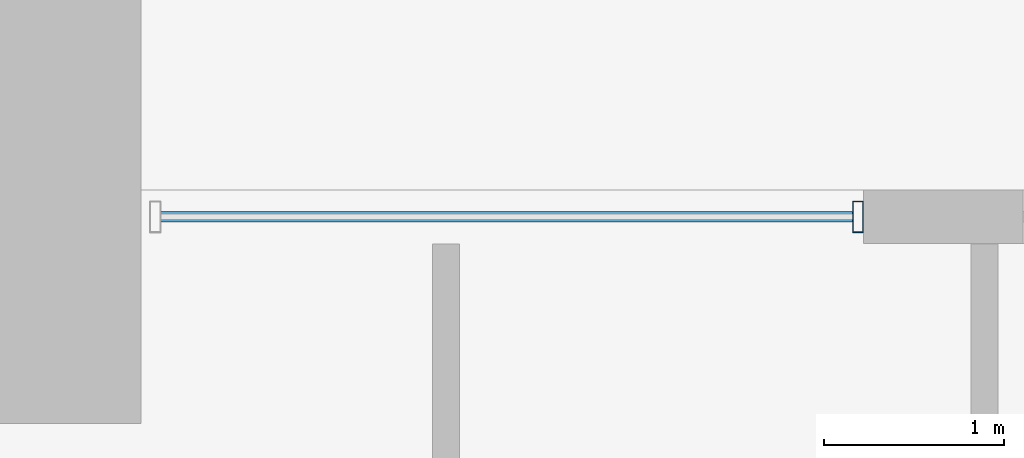
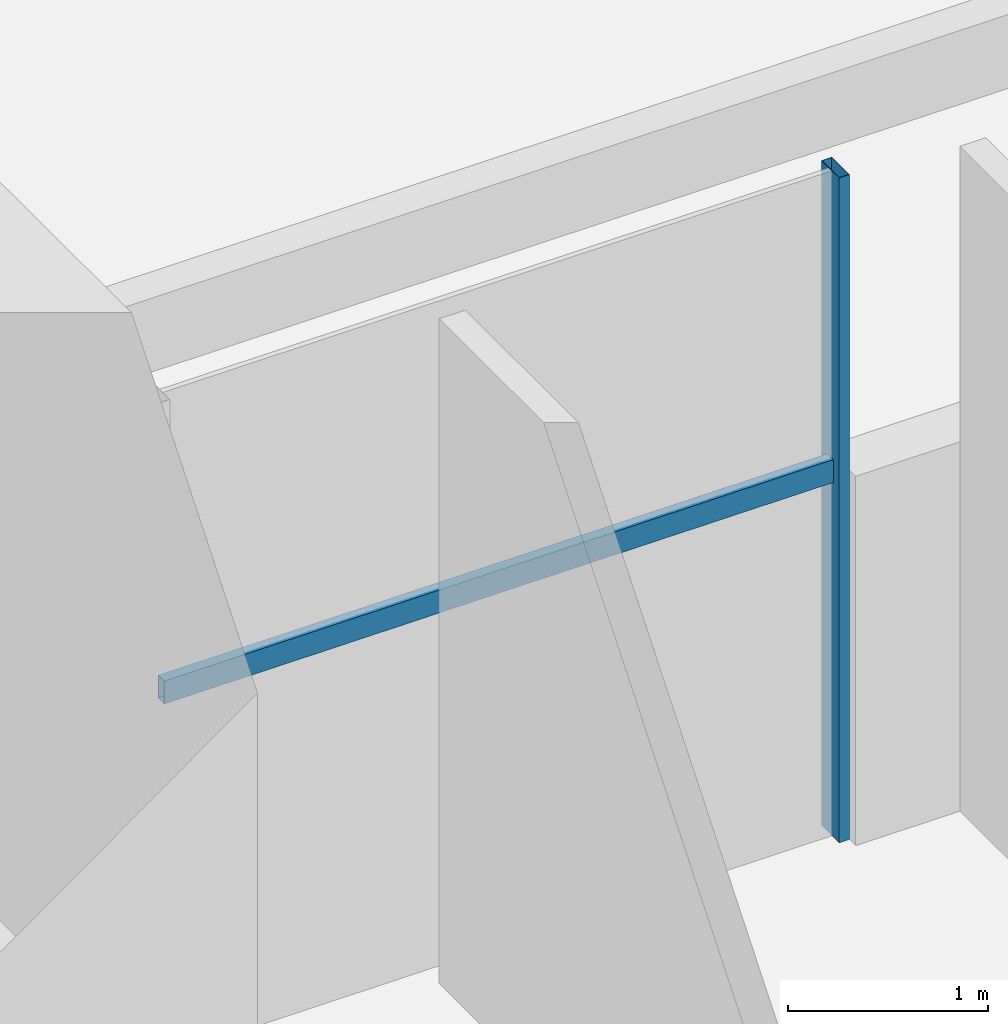
# One storey, part 7 of 26: 2 members, 1 element without a shape of its own.
"""IFC4 building model written with IfcOpenShell, lengths in metres."""

from ifc_helpers import new_model, si_unit, direction, frame, origin, origin_2d, place, context, subcontext, project, spatial, hollow_rectangle, extrude, material, material_profile, profile_set, type_object, element, aggregate, save


model = new_model("IFC4")

# Units and contexts
model_context = context("Model", 3, precision=1e-05, world=origin(), true_north=direction((0.0, 1.0)))
body_context = subcontext(model_context, "Body", "Model", "MODEL_VIEW")
ifc_project = project(units=[si_unit("LENGTHUNIT", "METRE"), si_unit("AREAUNIT", "SQUARE_METRE"), si_unit("VOLUMEUNIT", "CUBIC_METRE"), si_unit("PLANEANGLEUNIT", "RADIAN"), si_unit("MASSUNIT", "GRAM", prefix="KILO")], contexts=[model_context])

# Site, building, storey
site_placement = place(None, origin())
site = spatial("IfcSite", under=ifc_project, at=site_placement, CompositionType="ELEMENT")
building_placement = place(site_placement, origin())
building = spatial("IfcBuilding", under=site, at=building_placement, Name="Altepetl Exchange Towers", CompositionType="ELEMENT")
storey_placement = place(building_placement, frame((0.0, 0.0, 16.5)))
storey = spatial("IfcBuildingStorey", under=building, at=storey_placement, Name="L03 Podium terrace", CompositionType="ELEMENT", Elevation=16.5)

# Curtain wall, members
ifc_material_1 = material(Name="Aluminium 6063-T6 glazing", Category="aluminium")
curtain_wall_type = type_object("IfcCurtainWallType", Name="Podium storefront system", PredefinedType="NOTDEFINED", material=ifc_material_1)
curtain_wall_placement = place(storey_placement, origin())
curtain_wall = element("IfcCurtainWall", 1, at=curtain_wall_placement, inside=storey, type_object=curtain_wall_type, Name="CW5 run", PredefinedType="NOTDEFINED")
ifc_material_2 = material(Name="Aluminium 6063-T6", Category="aluminium")
ifc_material_profile_1 = material_profile(ifc_material_2, hollow_rectangle(XDim=0.06005859375, YDim=0.175048828125, WallThickness=0.0029296875, at=origin_2d()), Name="Mullion 60x175 aluminium")
ifc_profile_set_1 = profile_set([ifc_material_profile_1], Name="Aluminium 6063-T6")
member_type_1 = type_object("IfcMemberType", Name="Mullion 60x175 aluminium", PredefinedType="MULLION", material=ifc_profile_set_1)
member_1_placement = place(storey_placement, frame((50.294921875, 71.85009765625, 0.0), z_axis=(0.0, 0.0, 1.0), x_axis=(-1.0, 0.0, 0.0)))
member_1 = element("IfcMember", 2, at=member_1_placement, type_object=member_type_1, Name="MU4 mullion", PredefinedType="MULLION", context=body_context, shape_type="SweptSolid", body=[
    extrude(hollow_rectangle(XDim=0.06005859375, YDim=0.175048828125, WallThickness=0.0029296875, at=origin_2d()), origin(), (0.0, 0.0, 1.0), 4.050048828125),
])
ifc_material_profile_2 = material_profile(ifc_material_2, hollow_rectangle(XDim=0.06005859375, YDim=0.139892578125, WallThickness=0.0029296875, at=origin_2d()), Name="Transom 60x140 aluminium")
ifc_profile_set_2 = profile_set([ifc_material_profile_2], Name="Aluminium 6063-T6")
member_type_2 = type_object("IfcMemberType", Name="Transom 60x140 aluminium", PredefinedType="USERDEFINED", material=ifc_profile_set_2)
member_2_placement = place(storey_placement, frame((50.264892578125, 71.85009765625, 2.22998046875), z_axis=(-1.0, 0.0, 0.0), x_axis=(0.0, -1.0, 0.0)))
member_2 = element("IfcMember", 3, at=member_2_placement, type_object=member_type_2, Name="TR3 transom", ObjectType="TRANSOM", PredefinedType="USERDEFINED", context=body_context, shape_type="SweptSolid", body=[
    extrude(hollow_rectangle(XDim=0.06005859375, YDim=0.139892578125, WallThickness=0.0029296875, at=origin_2d()), origin(), (0.0, 0.0, 1.0), 3.85498046875),
])
aggregate(curtain_wall, [member_1, member_2])

save(model, "model.ifc")
